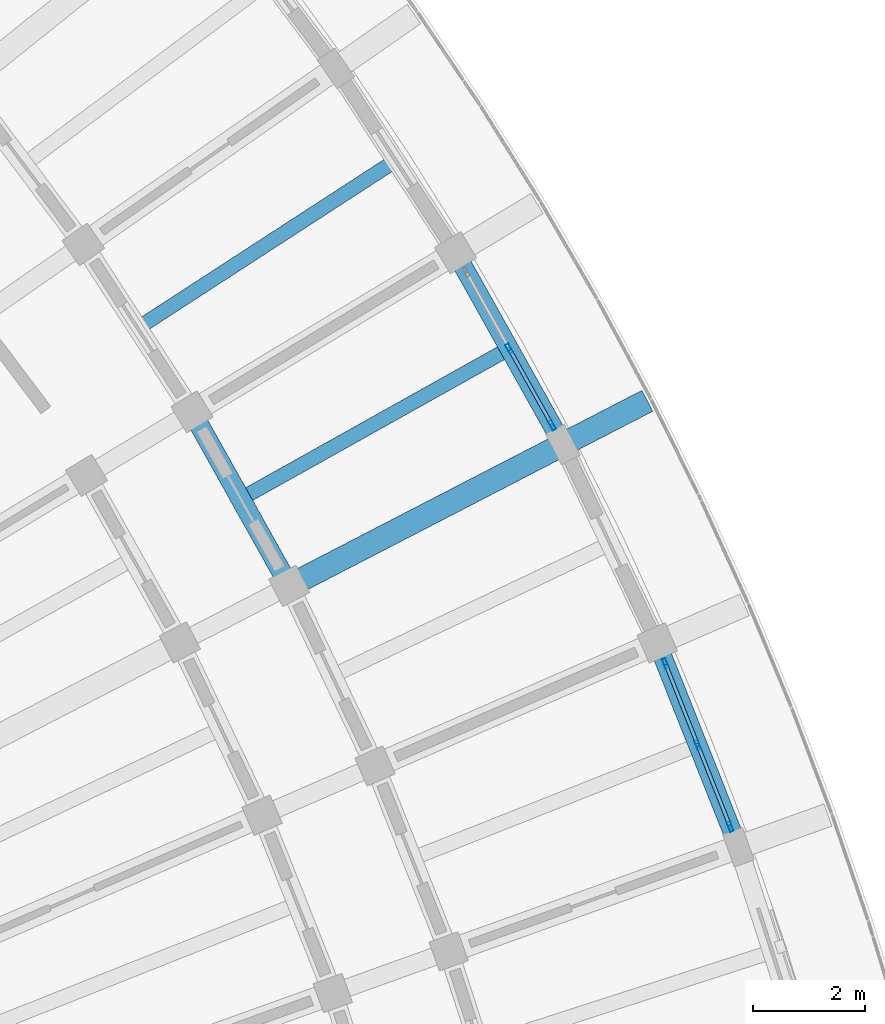
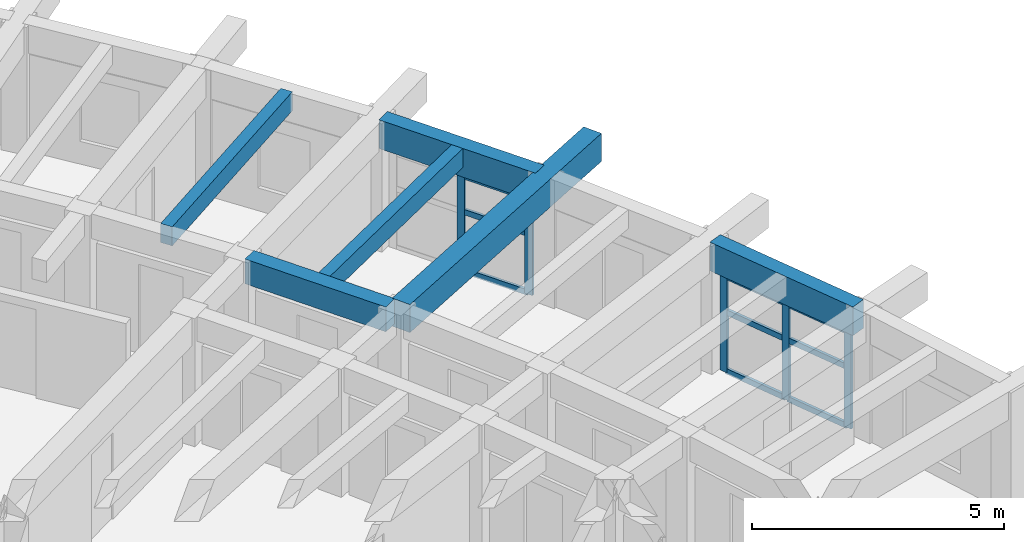
# One storey, part 37 of 96: 14 members, 6 beams, 2 elements without a shape of their own.
"""IFC4 building model written with IfcOpenShell, lengths in metres."""

from ifc_helpers import new_model, si_unit, direction, frame, origin, origin_2d, place, context, subcontext, project, spatial, rectangle, hollow_rectangle, extrude, material, material_profile, profile_set, type_object, element, aggregate, save


model = new_model("IFC4")

# Units and contexts
model_context = context("Model", 3, precision=1e-05, world=origin(), true_north=direction((0.0, 1.0)))
body_context = subcontext(model_context, "Body", "Model", "MODEL_VIEW")
ifc_project = project(units=[si_unit("LENGTHUNIT", "METRE"), si_unit("AREAUNIT", "SQUARE_METRE"), si_unit("VOLUMEUNIT", "CUBIC_METRE"), si_unit("PLANEANGLEUNIT", "RADIAN"), si_unit("MASSUNIT", "GRAM", prefix="KILO")], contexts=[model_context])

# Site, building, storey
site_placement = place(None, origin())
site = spatial("IfcSite", under=ifc_project, at=site_placement, CompositionType="ELEMENT")
building_placement = place(site_placement, origin())
building = spatial("IfcBuilding", under=site, at=building_placement, Name="Tanwirah Colonnade Gardens", CompositionType="ELEMENT")
storey_placement = place(building_placement, frame((0.0, 0.0, 12.199951171875)))
storey = spatial("IfcBuildingStorey", under=building, at=storey_placement, Name="L03", CompositionType="ELEMENT", Elevation=12.199951171875)

# Beams
ifc_material_1 = material(Name="Precast concrete C40/50", Category="concrete")
ifc_material_profile_1 = material_profile(ifc_material_1, rectangle(XDim=0.35009765625, YDim=0.60009765625, at=origin_2d()), Name="PC-BM 350x600")
ifc_profile_set_1 = profile_set([ifc_material_profile_1], Name="Precast concrete C40/50")
beam_type_1 = type_object("IfcBeamType", Name="BM-PC350B", PredefinedType="BEAM", material=ifc_profile_set_1)
beam_1_placement = place(storey_placement, frame((168.942138671875, 85.14892578125, 2.804931640625), z_axis=(-0.488213717102, 0.87272410671, 0.0), x_axis=(-0.87272410671, -0.488213717102, 0.0)))
element("IfcBeam", 1, at=beam_1_placement, inside=storey, type_object=beam_type_1, Name="Block B L03 Circumferential Beam 3-R2", PredefinedType="BEAM", context=body_context, shape_type="SweptSolid", body=[
    extrude(rectangle(XDim=0.35009765625, YDim=0.60009765625, at=origin_2d()), origin(), (0.0, 0.0, 1.0), 3.262939453125),
])
ifc_material_2 = material(Name="Precast concrete C45/55", Category="concrete")
ifc_material_profile_2 = material_profile(ifc_material_2, rectangle(XDim=0.419921875, YDim=0.679931640625, at=origin_2d()), Name="PC-BM 420x680")
ifc_profile_set_2 = profile_set([ifc_material_profile_2], Name="Precast concrete C45/55")
beam_type_2 = type_object("IfcBeamType", Name="BM-PC420", PredefinedType="BEAM", material=ifc_profile_set_2)
beam_2_placement = place(storey_placement, frame((169.148681640625, 85.0869140625, 2.76513671875), z_axis=(0.888348690665, 0.459169471758, 0.0), x_axis=(-0.459169471758, 0.888348690665, 0.0)))
element("IfcBeam", 2, at=beam_2_placement, inside=storey, type_object=beam_type_2, Name="Block B L03 Outer Radial Precast Girder 3", PredefinedType="BEAM", context=body_context, shape_type="SweptSolid", body=[
    extrude(rectangle(XDim=0.419921875, YDim=0.679931640625, at=origin_2d()), origin(), (0.0, 0.0, 1.0), 7.0498046875),
])

# Curtain wall, members
ifc_material_3 = material(Name="Bronze-anodised aluminium and solar-control low-E glass", Category="aluminium")
curtain_wall_type = type_object("IfcCurtainWallType", Name="CW-LOB", PredefinedType="NOTDEFINED", material=ifc_material_3)
curtain_wall_1_placement = place(storey_placement, origin())
curtain_wall_1 = element("IfcCurtainWall", 3, at=curtain_wall_1_placement, inside=storey, type_object=curtain_wall_type, Name="Curtain Wall CW-B-L03-OUT-01", PredefinedType="NOTDEFINED")
ifc_material_4 = material(Name="Bronze-anodised aluminium", Category="aluminium")
ifc_material_profile_3 = material_profile(ifc_material_4, hollow_rectangle(XDim=0.06494140625, YDim=0.179931640625, WallThickness=0.00390625, at=origin_2d()), Name="CW-MUL 65x180x4")
ifc_profile_set_3 = profile_set([ifc_material_profile_3], Name="Bronze-anodised aluminium")
member_type_1 = type_object("IfcMemberType", Name="CWM-65x180", PredefinedType="MULLION", material=ifc_profile_set_3)
member_1_placement = place(storey_placement, frame((176.892333984375, 80.71484375, 0.0), z_axis=(0.0, 0.0, 1.0), x_axis=(-0.929347570099, -0.369206031847, 0.0)))
member_1 = element("IfcMember", 4, at=member_1_placement, type_object=member_type_1, Name="CW-LOB mullion 1", PredefinedType="MULLION", context=body_context, shape_type="SweptSolid", body=[
    extrude(hollow_rectangle(XDim=0.06494140625, YDim=0.179931640625, WallThickness=0.00390625, at=origin_2d()), origin(), (0.0, 0.0, 1.0), 2.35498046875),
])
member_2_placement = place(storey_placement, frame((176.3125, 82.17431640625, 0.0), z_axis=(0.0, 0.0, 1.0), x_axis=(-0.929347570099, -0.369206031847, 0.0)))
member_2 = element("IfcMember", 5, at=member_2_placement, type_object=member_type_1, Name="CW-LOB mullion 2", PredefinedType="MULLION", context=body_context, shape_type="SweptSolid", body=[
    extrude(hollow_rectangle(XDim=0.06494140625, YDim=0.179931640625, WallThickness=0.00390625, at=origin_2d()), origin(), (0.0, 0.0, 1.0), 2.35498046875),
])
member_3_placement = place(storey_placement, frame((175.73291015625, 83.6337890625, 0.0), z_axis=(0.0, 0.0, 1.0), x_axis=(-0.929347570099, -0.369206031847, 0.0)))
member_3 = element("IfcMember", 6, at=member_3_placement, type_object=member_type_1, Name="CW-LOB mullion 3", PredefinedType="MULLION", context=body_context, shape_type="SweptSolid", body=[
    extrude(hollow_rectangle(XDim=0.06494140625, YDim=0.179931640625, WallThickness=0.00390625, at=origin_2d()), origin(), (0.0, 0.0, 1.0), 2.35498046875),
])

curtain_wall_2_placement = place(storey_placement, origin())
curtain_wall_2 = element("IfcCurtainWall", 7, at=curtain_wall_2_placement, inside=storey, type_object=curtain_wall_type, Name="Curtain Wall CW-B-L03-OUT-03", PredefinedType="NOTDEFINED")
member_4_placement = place(storey_placement, frame((173.709716796875, 87.885986328125, 0.0), z_axis=(0.0, 0.0, 1.0), x_axis=(-0.8727316783, -0.488200181987, 0.0)))
member_4 = element("IfcMember", 8, at=member_4_placement, type_object=member_type_1, Name="CW-LOB mullion 1", PredefinedType="MULLION", context=body_context, shape_type="SweptSolid", body=[
    extrude(hollow_rectangle(XDim=0.06494140625, YDim=0.179931640625, WallThickness=0.00390625, at=origin_2d()), origin(), (0.0, 0.0, 1.0), 2.35498046875),
])
member_5_placement = place(storey_placement, frame((172.943115234375, 89.25634765625, 0.0), z_axis=(0.0, 0.0, 1.0), x_axis=(-0.8727316783, -0.488200181987, 0.0)))
member_5 = element("IfcMember", 9, at=member_5_placement, type_object=member_type_1, Name="CW-LOB mullion 2", PredefinedType="MULLION", context=body_context, shape_type="SweptSolid", body=[
    extrude(hollow_rectangle(XDim=0.06494140625, YDim=0.179931640625, WallThickness=0.00390625, at=origin_2d()), origin(), (0.0, 0.0, 1.0), 2.35498046875),
])

# Member
ifc_material_profile_4 = material_profile(ifc_material_4, hollow_rectangle(XDim=0.06494140625, YDim=0.135009765625, WallThickness=0.00390625, at=origin_2d()), Name="CW-TRN 65x135x4")
ifc_profile_set_4 = profile_set([ifc_material_profile_4], Name="Bronze-anodised aluminium")
member_type_2 = type_object("IfcMemberType", Name="CWT-65x135", PredefinedType="USERDEFINED", material=ifc_profile_set_4)
member_6_placement = place(storey_placement, frame((176.88037109375, 80.7451171875, 0.032470703125), z_axis=(-0.369292524559, 0.929313204095, 0.0), x_axis=(-0.929313204095, -0.369292524559, 0.0)))
member_6 = element("IfcMember", 10, at=member_6_placement, type_object=member_type_2, Name="CW-LOB transom 1.1", ObjectType="TRANSOM", PredefinedType="USERDEFINED", context=body_context, shape_type="SweptSolid", body=[
    extrude(hollow_rectangle(XDim=0.06494140625, YDim=0.135009765625, WallThickness=0.00390625, at=origin_2d()), origin(), (0.0, 0.0, 1.0), 1.50537109375),
])

member_7_placement = place(storey_placement, frame((176.88037109375, 80.7451171875, 1.460205078125), z_axis=(-0.369292524559, 0.929313204095, 0.0), x_axis=(-0.929313204095, -0.369292524559, 0.0)))
member_7 = element("IfcMember", 11, at=member_7_placement, type_object=member_type_2, Name="CW-LOB transom 1.2", ObjectType="TRANSOM", PredefinedType="USERDEFINED", context=body_context, shape_type="SweptSolid", body=[
    extrude(hollow_rectangle(XDim=0.06494140625, YDim=0.135009765625, WallThickness=0.00390625, at=origin_2d()), origin(), (0.0, 0.0, 1.0), 1.50537109375),
])

member_8_placement = place(storey_placement, frame((176.88037109375, 80.7451171875, 2.322509765625), z_axis=(-0.369292524559, 0.929313204095, 0.0), x_axis=(-0.929313204095, -0.369292524559, 0.0)))
member_8 = element("IfcMember", 12, at=member_8_placement, type_object=member_type_2, Name="CW-LOB transom 1.3", ObjectType="TRANSOM", PredefinedType="USERDEFINED", context=body_context, shape_type="SweptSolid", body=[
    extrude(hollow_rectangle(XDim=0.06494140625, YDim=0.135009765625, WallThickness=0.00390625, at=origin_2d()), origin(), (0.0, 0.0, 1.0), 1.50537109375),
])

member_9_placement = place(storey_placement, frame((176.300537109375, 82.20458984375, 0.032470703125), z_axis=(-0.369152446307, 0.929368856475, 0.0), x_axis=(-0.929368856475, -0.369152446307, 0.0)))
member_9 = element("IfcMember", 13, at=member_9_placement, type_object=member_type_2, Name="CW-LOB transom 2.1", ObjectType="TRANSOM", PredefinedType="USERDEFINED", context=body_context, shape_type="SweptSolid", body=[
    extrude(hollow_rectangle(XDim=0.06494140625, YDim=0.135009765625, WallThickness=0.00390625, at=origin_2d()), origin(), (0.0, 0.0, 1.0), 1.505126953125),
])

member_10_placement = place(storey_placement, frame((176.300537109375, 82.20458984375, 1.460205078125), z_axis=(-0.369152446307, 0.929368856475, 0.0), x_axis=(-0.929368856475, -0.369152446307, 0.0)))
member_10 = element("IfcMember", 14, at=member_10_placement, type_object=member_type_2, Name="CW-LOB transom 2.2", ObjectType="TRANSOM", PredefinedType="USERDEFINED", context=body_context, shape_type="SweptSolid", body=[
    extrude(hollow_rectangle(XDim=0.06494140625, YDim=0.135009765625, WallThickness=0.00390625, at=origin_2d()), origin(), (0.0, 0.0, 1.0), 1.505126953125),
])

member_11_placement = place(storey_placement, frame((176.300537109375, 82.20458984375, 2.322509765625), z_axis=(-0.369152446307, 0.929368856475, 0.0), x_axis=(-0.929368856475, -0.369152446307, 0.0)))
member_11 = element("IfcMember", 15, at=member_11_placement, type_object=member_type_2, Name="CW-LOB transom 2.3", ObjectType="TRANSOM", PredefinedType="USERDEFINED", context=body_context, shape_type="SweptSolid", body=[
    extrude(hollow_rectangle(XDim=0.06494140625, YDim=0.135009765625, WallThickness=0.00390625, at=origin_2d()), origin(), (0.0, 0.0, 1.0), 1.505126953125),
])

aggregate(curtain_wall_1, [member_1, member_2, member_3, member_6, member_7, member_8, member_9, member_10, member_11])

member_12_placement = place(storey_placement, frame((173.69384765625, 87.914306640625, 0.032470703125), z_axis=(-0.488188457917, 0.872738236562, 0.0), x_axis=(-0.872738236562, -0.488188457917, 0.0)))
member_12 = element("IfcMember", 16, at=member_12_placement, type_object=member_type_2, Name="CW-LOB transom 1.1", ObjectType="TRANSOM", PredefinedType="USERDEFINED", context=body_context, shape_type="SweptSolid", body=[
    extrude(hollow_rectangle(XDim=0.06494140625, YDim=0.135009765625, WallThickness=0.00390625, at=origin_2d()), origin(), (0.0, 0.0, 1.0), 1.50537109375),
])

member_13_placement = place(storey_placement, frame((173.69384765625, 87.914306640625, 1.460205078125), z_axis=(-0.488188457917, 0.872738236562, 0.0), x_axis=(-0.872738236562, -0.488188457917, 0.0)))
member_13 = element("IfcMember", 17, at=member_13_placement, type_object=member_type_2, Name="CW-LOB transom 1.2", ObjectType="TRANSOM", PredefinedType="USERDEFINED", context=body_context, shape_type="SweptSolid", body=[
    extrude(hollow_rectangle(XDim=0.06494140625, YDim=0.135009765625, WallThickness=0.00390625, at=origin_2d()), origin(), (0.0, 0.0, 1.0), 1.50537109375),
])

member_14_placement = place(storey_placement, frame((173.69384765625, 87.914306640625, 2.322509765625), z_axis=(-0.488188457917, 0.872738236562, 0.0), x_axis=(-0.872738236562, -0.488188457917, 0.0)))
member_14 = element("IfcMember", 18, at=member_14_placement, type_object=member_type_2, Name="CW-LOB transom 1.3", ObjectType="TRANSOM", PredefinedType="USERDEFINED", context=body_context, shape_type="SweptSolid", body=[
    extrude(hollow_rectangle(XDim=0.06494140625, YDim=0.135009765625, WallThickness=0.00390625, at=origin_2d()), origin(), (0.0, 0.0, 1.0), 1.50537109375),
])

aggregate(curtain_wall_2, [member_4, member_5, member_12, member_13, member_14])

# Beams
ifc_material_profile_5 = material_profile(ifc_material_1, rectangle(XDim=0.260009765625, YDim=0.4599609375, at=origin_2d()), Name="PC-JST 260x460")
ifc_profile_set_5 = profile_set([ifc_material_profile_5], Name="Precast concrete C40/50")
beam_type_3 = type_object("IfcBeamType", Name="JST-PC260", PredefinedType="JOIST", material=ifc_profile_set_5)
beam_3_placement = place(storey_placement, frame((168.27587890625, 86.645751953125, 2.875), z_axis=(0.872737031138, 0.488190612855, 0.0), x_axis=(-0.488190612855, 0.872737031138, 0.0)))
element("IfcBeam", 19, at=beam_3_placement, inside=storey, type_object=beam_type_3, Name="Block B L03 Precast Floor Joist 3", PredefinedType="JOIST", context=body_context, shape_type="SweptSolid", body=[
    extrude(rectangle(XDim=0.260009765625, YDim=0.4599609375, at=origin_2d()), origin(), (0.0, 0.0, 1.0), 5.260009765625),
])
beam_4_placement = place(storey_placement, frame((166.4306640625, 89.703125, 2.875), z_axis=(0.83868742622, 0.544613074669, 0.0), x_axis=(-0.544613074669, 0.83868742622, 0.0)))
element("IfcBeam", 20, at=beam_4_placement, inside=storey, type_object=beam_type_3, Name="Block B L03 Precast Floor Joist 4", PredefinedType="JOIST", context=body_context, shape_type="SweptSolid", body=[
    extrude(rectangle(XDim=0.260009765625, YDim=0.4599609375, at=origin_2d()), origin(), (0.0, 0.0, 1.0), 5.26025390625),
])
ifc_material_profile_6 = material_profile(ifc_material_1, rectangle(XDim=0.3349609375, YDim=0.695068359375, at=origin_2d()), Name="PC-SP 335x695")
ifc_profile_set_6 = profile_set([ifc_material_profile_6], Name="Precast concrete C40/50")
beam_type_4 = type_object("IfcBeamType", Name="SP-PC300", PredefinedType="SPANDREL", material=ifc_profile_set_6)
for number, where, z_axis, x_axis, name in (
    (21, (176.98193359375, 80.489501953125, 2.757568359375), (-0.369195460985, 0.929351769562, 0.0), (-0.929351769562, -0.369195460985, 0.0), "Block B L03 Circumferential Beam 1-R3"),
    (22, (173.828125, 87.67431640625, 2.757568359375), (-0.488236312193, 0.872711466326, 0.0), (-0.872711466326, -0.488236312193, 0.0), "Block B L03 Circumferential Beam 3-R3"),
):
    element("IfcBeam", number, at=place(storey_placement, frame(where, z_axis=z_axis, x_axis=x_axis)), inside=storey, type_object=beam_type_4, Name=name, PredefinedType="SPANDREL", context=body_context, shape_type="SweptSolid", body=[
        extrude(rectangle(XDim=0.3349609375, YDim=0.695068359375, at=origin_2d()), origin(), (0.0, 0.0, 1.0), 3.625732421875),
    ])

save(model, "model.ifc")
